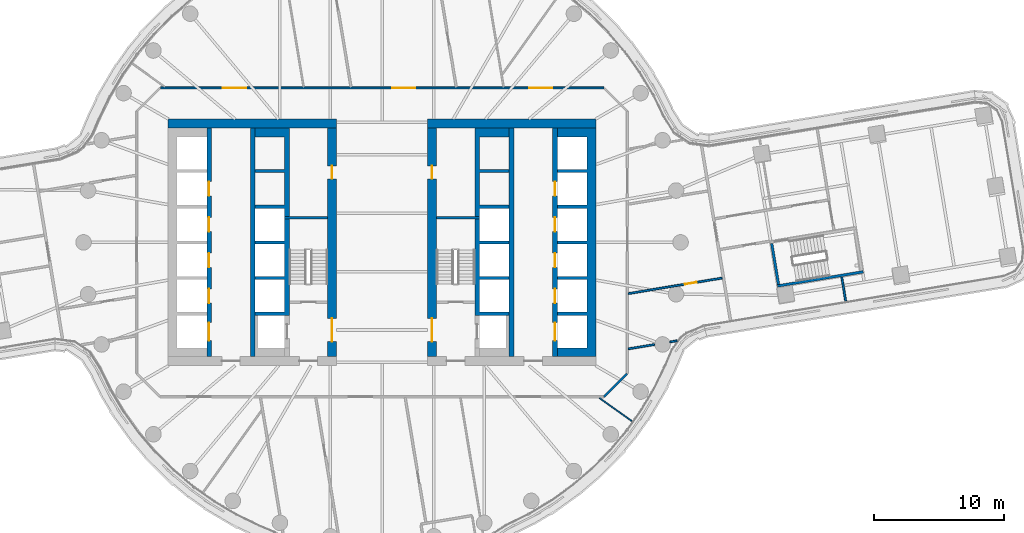
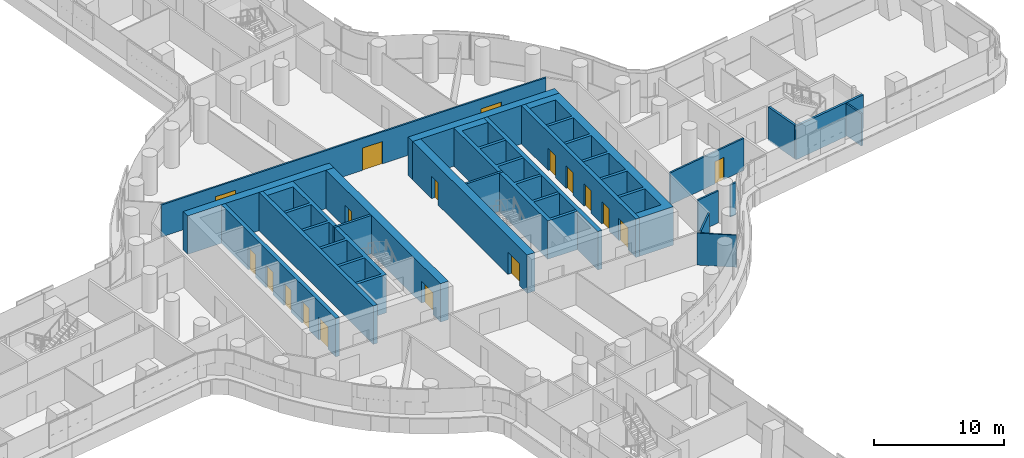
# One storey, part 22 of 32: 22 walls, 18 doors, 18 openings.
"""IFC4 building model written with IfcOpenShell, lengths in metres."""

from ifc_helpers import new_model, si_unit, direction, frame, frame_2d, origin, place, context, subcontext, project, spatial, polyline, rectangle, outline, extrude, material, layer, layer_set, type_object, element, fill, save


model = new_model("IFC4")

# Units and contexts
model_context = context("Model", 3, precision=1e-05, world=origin(), true_north=direction((0.0, 1.0)))
body_context = subcontext(model_context, "Body", "Model", "MODEL_VIEW")
ifc_project = project(units=[si_unit("LENGTHUNIT", "METRE"), si_unit("AREAUNIT", "SQUARE_METRE"), si_unit("VOLUMEUNIT", "CUBIC_METRE"), si_unit("PLANEANGLEUNIT", "RADIAN"), si_unit("MASSUNIT", "GRAM", prefix="KILO")], contexts=[model_context])

# Site, building, storey
site_placement = place(None, origin())
site = spatial("IfcSite", under=ifc_project, at=site_placement, CompositionType="ELEMENT")
building_placement = place(site_placement, origin())
building = spatial("IfcBuilding", under=site, at=building_placement, Name="Tamarind Cross Interchange Tower", CompositionType="ELEMENT")
storey_placement = place(building_placement, frame((0.0, 0.0, 67.75)))
storey = spatial("IfcBuildingStorey", under=building, at=storey_placement, Name="L15", CompositionType="ELEMENT", Elevation=67.75)

# Wall
ifc_material_1 = material(Name="Concrete C80", Category="concrete")
ifc_layer_1 = layer(ifc_material_1, 0.699951171875)
ifc_layer_set_1 = layer_set([ifc_layer_1], Name="Concrete C80")
wall_type_1 = type_object("IfcWallType", Name="Core wall 700 mm Concrete C80", PredefinedType="SHEAR", material=ifc_layer_set_1)
wall_1_placement = place(storey_placement, frame((-16.5, 9.14990234375, 0.0), z_axis=(0.0, 0.0, 1.0), x_axis=(1.0, 0.0, 0.0)))
element("IfcWall", 1, at=wall_1_placement, inside=storey, type_object=wall_type_1, Name="Core wall CWL-L15-W-NE", PredefinedType="SHEAR", context=body_context, shape_type="SweptSolid", body=[
    extrude(rectangle(XDim=13.0, YDim=0.699951171875, at=frame_2d((6.5, 0.0))), origin(), (0.0, 0.0, 1.0), 3.610107421875),
])

# Wall, openings, doors
wall_2_placement = place(storey_placement, frame((-3.85009765625, -8.800048828125, 0.0), z_axis=(0.0, 0.0, 1.0), x_axis=(0.0, 1.0, 0.0)))
wall_2 = element("IfcWall", 2, at=wall_2_placement, inside=storey, type_object=wall_type_1, Name="Core wall CWL-L15-W-IN", PredefinedType="SHEAR", context=body_context, shape_type="SweptSolid", body=[
    extrude(rectangle(XDim=17.60009765625, YDim=0.699951171875, at=frame_2d((8.800048828125, 0.0))), origin(), (0.0, 0.0, 1.0), 3.610107421875),
])
opening_1_placement = place(wall_2_placement, frame((1.14990234375, 0.0, 0.0)))
opening_1 = element("IfcOpeningElement", 3, at=opening_1_placement, cuts=wall_2, Name="Opening DCW4", PredefinedType="OPENING", context=body_context, shape_type="SweptSolid", body=[
    extrude(rectangle(XDim=1.800048828125, YDim=2.10009765625, at=frame_2d((0.89990234375, 1.050048828125))), frame((0.0, 0.35986328125, 0.0), z_axis=(0.0, -1.0, 0.0), x_axis=(1.0, 0.0, 0.0)), (0.0, 0.0, 1.0), 0.719970703125),
])
opening_2_placement = place(wall_2_placement, frame((13.699951171875, 0.0, 0.0)))
opening_2 = element("IfcOpeningElement", 4, at=opening_2_placement, cuts=wall_2, Name="Opening DCW5", PredefinedType="OPENING", context=body_context, shape_type="SweptSolid", body=[
    extrude(rectangle(XDim=1.0, YDim=2.10009765625, at=frame_2d((0.5, 1.050048828125))), frame((0.0, 0.35986328125, 0.0), z_axis=(0.0, -1.0, 0.0), x_axis=(1.0, 0.0, 0.0)), (0.0, 0.0, 1.0), 0.719970703125),
])
ifc_material_2 = material(Name="Steel, fire-resisting", Category="steel")
door_type_1 = type_object("IfcDoorType", Name="Core fire door 1000 x 2100 FD90", OperationType="SINGLE_SWING_LEFT", PredefinedType="DOOR", material=ifc_material_2)
door_1_placement = place(opening_2_placement, origin())
door_1 = element("IfcDoor", 5, at=door_1_placement, inside=storey, type_object=door_type_1, Name="L15 riser room door", OperationType="SINGLE_SWING_LEFT", OverallHeight=2.10009765625, OverallWidth=1.0, PredefinedType="DOOR", context=body_context, shape_type="SweptSolid", body=[
    extrude(rectangle(XDim=1.0, YDim=2.10009765625, at=frame_2d((0.5, 1.050048828125))), frame((0.0, 0.02490234375, 0.0), z_axis=(0.0, -1.0, 0.0), x_axis=(1.0, 0.0, 0.0)), (0.0, 0.0, 1.0), 0.050048828125),
])
fill(opening_2, door_1)
door_type_2 = type_object("IfcDoorType", Name="Core fire door 1800 x 2100 FD90", OperationType="SINGLE_SWING_LEFT", PredefinedType="DOOR", material=ifc_material_2)
door_2_placement = place(opening_1_placement, origin())
door_2 = element("IfcDoor", 6, at=door_2_placement, inside=storey, type_object=door_type_2, Name="L15 firefighting lobby door", OperationType="SINGLE_SWING_LEFT", OverallHeight=2.10009765625, OverallWidth=1.800048828125, PredefinedType="DOOR", context=body_context, shape_type="SweptSolid", body=[
    extrude(rectangle(XDim=1.800048828125, YDim=2.10009765625, at=frame_2d((0.89990234375, 1.050048828125))), frame((0.0, 0.02490234375, 0.0), z_axis=(0.0, -1.0, 0.0), x_axis=(1.0, 0.0, 0.0)), (0.0, 0.0, 1.0), 0.050048828125),
])
fill(opening_1, door_2)

# Walls
wall_3_placement = place(storey_placement, origin())
element("IfcWall", 7, at=wall_3_placement, inside=storey, type_object=wall_type_1, Name="Core wall CWL-L15-E-A", PredefinedType="SHEAR", context=body_context, shape_type="SweptSolid", body=[
    extrude(outline(polyline([(13.5, -8.800048828125), (15.800048828125, -8.800048828125), (16.5, -8.800048828125), (16.5, 8.800048828125), (15.800048828125, 8.800048828125), (13.5, 8.800048828125), (13.5, 8.125), (15.800048828125, 8.125), (15.800048828125, 5.625), (13.5, 5.625), (13.5, 5.375), (15.800048828125, 5.375), (15.800048828125, 2.875), (13.5, 2.875), (13.5, 2.625), (15.800048828125, 2.625), (15.800048828125, 0.125), (13.5, 0.125), (13.5, -0.125), (15.800048828125, -0.125), (15.800048828125, -2.625), (13.5, -2.625), (13.5, -2.875), (15.800048828125, -2.875), (15.800048828125, -5.375), (13.5, -5.375), (13.5, -5.625), (15.800048828125, -5.625), (15.800048828125, -8.125), (13.5, -8.125), (13.5, -8.800048828125)])), origin(), (0.0, 0.0, 1.0), 3.610107421875),
])
wall_4_placement = place(storey_placement, frame((16.5, 9.14990234375, 0.0), z_axis=(0.0, 0.0, 1.0), x_axis=(-1.0, 0.0, 0.0)))
element("IfcWall", 8, at=wall_4_placement, inside=storey, type_object=wall_type_1, Name="Core wall CWL-L15-E-NE", PredefinedType="SHEAR", context=body_context, shape_type="SweptSolid", body=[
    extrude(rectangle(XDim=13.0, YDim=0.699951171875, at=frame_2d((6.5, 0.0))), origin(), (0.0, 0.0, 1.0), 3.610107421875),
])

# Wall, openings, doors
wall_5_placement = place(storey_placement, frame((3.85009765625, -8.800048828125, 0.0), z_axis=(0.0, 0.0, 1.0), x_axis=(0.0, 1.0, 0.0)))
wall_5 = element("IfcWall", 9, at=wall_5_placement, inside=storey, type_object=wall_type_1, Name="Core wall CWL-L15-E-IN", PredefinedType="SHEAR", context=body_context, shape_type="SweptSolid", body=[
    extrude(rectangle(XDim=17.60009765625, YDim=0.699951171875, at=frame_2d((8.800048828125, 0.0))), origin(), (0.0, 0.0, 1.0), 3.610107421875),
])
opening_3_placement = place(wall_5_placement, frame((1.14990234375, 0.0, 0.0)))
opening_3 = element("IfcOpeningElement", 10, at=opening_3_placement, cuts=wall_5, Name="Opening DCE4", PredefinedType="OPENING", context=body_context, shape_type="SweptSolid", body=[
    extrude(rectangle(XDim=1.800048828125, YDim=2.10009765625, at=frame_2d((0.89990234375, 1.050048828125))), frame((0.0, 0.35986328125, 0.0), z_axis=(0.0, -1.0, 0.0), x_axis=(1.0, 0.0, 0.0)), (0.0, 0.0, 1.0), 0.719970703125),
])
opening_4_placement = place(wall_5_placement, frame((13.699951171875, 0.0, 0.0)))
opening_4 = element("IfcOpeningElement", 11, at=opening_4_placement, cuts=wall_5, Name="Opening DCE5", PredefinedType="OPENING", context=body_context, shape_type="SweptSolid", body=[
    extrude(rectangle(XDim=1.0, YDim=2.10009765625, at=frame_2d((0.5, 1.050048828125))), frame((0.0, 0.35986328125, 0.0), z_axis=(0.0, -1.0, 0.0), x_axis=(1.0, 0.0, 0.0)), (0.0, 0.0, 1.0), 0.719970703125),
])
door_3_placement = place(opening_4_placement, origin())
door_3 = element("IfcDoor", 12, at=door_3_placement, inside=storey, type_object=door_type_1, Name="L15 riser room door", OperationType="SINGLE_SWING_LEFT", OverallHeight=2.10009765625, OverallWidth=1.0, PredefinedType="DOOR", context=body_context, shape_type="SweptSolid", body=[
    extrude(rectangle(XDim=1.0, YDim=2.10009765625, at=frame_2d((0.5, 1.050048828125))), frame((0.0, 0.02490234375, 0.0), z_axis=(0.0, -1.0, 0.0), x_axis=(1.0, 0.0, 0.0)), (0.0, 0.0, 1.0), 0.050048828125),
])
fill(opening_4, door_3)
door_4_placement = place(opening_3_placement, origin())
door_4 = element("IfcDoor", 13, at=door_4_placement, inside=storey, type_object=door_type_2, Name="L15 firefighting lobby door", OperationType="SINGLE_SWING_LEFT", OverallHeight=2.10009765625, OverallWidth=1.800048828125, PredefinedType="DOOR", context=body_context, shape_type="SweptSolid", body=[
    extrude(rectangle(XDim=1.800048828125, YDim=2.10009765625, at=frame_2d((0.89990234375, 1.050048828125))), frame((0.0, 0.02490234375, 0.0), z_axis=(0.0, -1.0, 0.0), x_axis=(1.0, 0.0, 0.0)), (0.0, 0.0, 1.0), 0.050048828125),
])
fill(opening_3, door_4)

# Walls
ifc_layer_2 = layer(ifc_material_1, 0.199951171875)
ifc_layer_set_2 = layer_set([ifc_layer_2], Name="Concrete C80")
wall_type_2 = type_object("IfcWallType", Name="Core web wall 200 mm Concrete C80", PredefinedType="SHEAR", material=ifc_layer_set_2)
for number, where, z_axis, x_axis, name in (
    (14, (-7.5, 1.89990234375, 0.0), (0.0, 0.0, 1.0), (1.0, 0.0, 0.0), "Core wall CWL-L15-W-BD"),
    (15, (7.5, 1.89990234375, 0.0), (0.0, 0.0, 1.0), (-1.0, 0.0, 0.0), "Core wall CWL-L15-E-BD"),
):
    element("IfcWall", number, at=place(storey_placement, frame(where, z_axis=z_axis, x_axis=x_axis)), inside=storey, type_object=wall_type_2, Name=name, PredefinedType="SHEAR", context=body_context, shape_type="SweptSolid", body=[
        extrude(rectangle(XDim=3.300048828125, YDim=0.199951171875, at=frame_2d((1.64990234375, 0.0))), origin(), (0.0, 0.0, 1.0), 3.610107421875),
    ])
ifc_layer_3 = layer(ifc_material_1, 0.35009765625)
ifc_layer_set_3 = layer_set([ifc_layer_3], Name="Concrete C80")
wall_type_3 = type_object("IfcWallType", Name="Core web wall 350 mm Concrete C80", PredefinedType="SHEAR", material=ifc_layer_set_3)
wall_6_placement = place(storey_placement, origin())
element("IfcWall", 16, at=wall_6_placement, inside=storey, type_object=wall_type_3, Name="Core wall CWL-L15-W-BN", PredefinedType="SHEAR", context=body_context, shape_type="SweptSolid", body=[
    extrude(outline(polyline([(-9.800048828125, -5.375), (-9.800048828125, -5.625), (-7.5, -5.625), (-7.14990234375, -5.625), (-7.14990234375, 8.800048828125), (-7.5, 8.800048828125), (-9.800048828125, 8.800048828125), (-9.800048828125, 8.125), (-7.5, 8.125), (-7.5, 5.625), (-9.800048828125, 5.625), (-9.800048828125, 5.375), (-7.5, 5.375), (-7.5, 2.875), (-9.800048828125, 2.875), (-9.800048828125, 2.625), (-7.5, 2.625), (-7.5, 0.125), (-9.800048828125, 0.125), (-9.800048828125, -0.125), (-7.5, -0.125), (-7.5, -2.625), (-9.800048828125, -2.625), (-9.800048828125, -2.875), (-7.5, -2.875), (-7.5, -5.375), (-9.800048828125, -5.375)])), origin(), (0.0, 0.0, 1.0), 3.610107421875),
])

# Wall, openings, doors
wall_7_placement = place(storey_placement, frame((-13.324951171875, -8.800048828125, 0.0), z_axis=(0.0, 0.0, 1.0), x_axis=(0.0, 1.0, 0.0)))
wall_7 = element("IfcWall", 17, at=wall_7_placement, inside=storey, type_object=wall_type_3, Name="Core wall CWL-L15-W-LA", PredefinedType="SHEAR", context=body_context, shape_type="SweptSolid", body=[
    extrude(rectangle(XDim=17.60009765625, YDim=0.35009765625, at=frame_2d((8.800048828125, 0.0))), origin(), (0.0, 0.0, 1.0), 3.610107421875),
])
opening_5_placement = place(wall_7_placement, frame((1.22509765625, 0.0, 0.0)))
opening_5 = element("IfcOpeningElement", 18, at=opening_5_placement, cuts=wall_7, Name="Opening LD1L15", PredefinedType="OPENING", context=body_context, shape_type="SweptSolid", body=[
    extrude(rectangle(XDim=1.39990234375, YDim=2.10009765625, at=frame_2d((0.699951171875, 1.050048828125))), frame((0.0, 0.18505859375, 0.0), z_axis=(0.0, -1.0, 0.0), x_axis=(1.0, 0.0, 0.0)), (0.0, 0.0, 1.0), 0.3701171875),
])
opening_6_placement = place(wall_7_placement, frame((4.125, 0.0, 0.0)))
opening_6 = element("IfcOpeningElement", 19, at=opening_6_placement, cuts=wall_7, Name="Opening LD2L15", PredefinedType="OPENING", context=body_context, shape_type="SweptSolid", body=[
    extrude(rectangle(XDim=1.10009765625, YDim=2.10009765625, at=frame_2d((0.550048828125, 1.050048828125))), frame((0.0, 0.18505859375, 0.0), z_axis=(0.0, -1.0, 0.0), x_axis=(1.0, 0.0, 0.0)), (0.0, 0.0, 1.0), 0.3701171875),
])
opening_7_placement = place(wall_7_placement, frame((6.875, 0.0, 0.0)))
opening_7 = element("IfcOpeningElement", 20, at=opening_7_placement, cuts=wall_7, Name="Opening LD3L15", PredefinedType="OPENING", context=body_context, shape_type="SweptSolid", body=[
    extrude(rectangle(XDim=1.10009765625, YDim=2.10009765625, at=frame_2d((0.550048828125, 1.050048828125))), frame((0.0, 0.18505859375, 0.0), z_axis=(0.0, -1.0, 0.0), x_axis=(1.0, 0.0, 0.0)), (0.0, 0.0, 1.0), 0.3701171875),
])
opening_8_placement = place(wall_7_placement, frame((9.625, 0.0, 0.0)))
opening_8 = element("IfcOpeningElement", 21, at=opening_8_placement, cuts=wall_7, Name="Opening LD4L15", PredefinedType="OPENING", context=body_context, shape_type="SweptSolid", body=[
    extrude(rectangle(XDim=1.10009765625, YDim=2.10009765625, at=frame_2d((0.550048828125, 1.050048828125))), frame((0.0, 0.18505859375, 0.0), z_axis=(0.0, -1.0, 0.0), x_axis=(1.0, 0.0, 0.0)), (0.0, 0.0, 1.0), 0.3701171875),
])
opening_9_placement = place(wall_7_placement, frame((12.375, 0.0, 0.0)))
opening_9 = element("IfcOpeningElement", 22, at=opening_9_placement, cuts=wall_7, Name="Opening LD5L15", PredefinedType="OPENING", context=body_context, shape_type="SweptSolid", body=[
    extrude(rectangle(XDim=1.10009765625, YDim=2.10009765625, at=frame_2d((0.550048828125, 1.050048828125))), frame((0.0, 0.18505859375, 0.0), z_axis=(0.0, -1.0, 0.0), x_axis=(1.0, 0.0, 0.0)), (0.0, 0.0, 1.0), 0.3701171875),
])
ifc_material_3 = material(Name="Stainless steel panel", Category="steel")
door_type_3 = type_object("IfcDoorType", Name="Lift landing door 1100 x 2100 E 120", OperationType="SLIDING_TO_LEFT", PredefinedType="DOOR", material=ifc_material_3)
door_5_placement = place(opening_6_placement, origin())
door_5 = element("IfcDoor", 23, at=door_5_placement, inside=storey, type_object=door_type_3, Name="L15 landing door LF2", OperationType="SLIDING_TO_LEFT", OverallHeight=2.10009765625, OverallWidth=1.10009765625, PredefinedType="DOOR", context=body_context, shape_type="SweptSolid", body=[
    extrude(rectangle(XDim=1.10009765625, YDim=2.10009765625, at=frame_2d((0.550048828125, 1.050048828125))), frame((0.0, 0.02490234375, 0.0), z_axis=(0.0, -1.0, 0.0), x_axis=(1.0, 0.0, 0.0)), (0.0, 0.0, 1.0), 0.050048828125),
])
fill(opening_6, door_5)
door_6_placement = place(opening_7_placement, origin())
door_6 = element("IfcDoor", 24, at=door_6_placement, inside=storey, type_object=door_type_3, Name="L15 landing door LF3", OperationType="SLIDING_TO_LEFT", OverallHeight=2.10009765625, OverallWidth=1.10009765625, PredefinedType="DOOR", context=body_context, shape_type="SweptSolid", body=[
    extrude(rectangle(XDim=1.10009765625, YDim=2.10009765625, at=frame_2d((0.550048828125, 1.050048828125))), frame((0.0, 0.02490234375, 0.0), z_axis=(0.0, -1.0, 0.0), x_axis=(1.0, 0.0, 0.0)), (0.0, 0.0, 1.0), 0.050048828125),
])
fill(opening_7, door_6)
door_7_placement = place(opening_8_placement, origin())
door_7 = element("IfcDoor", 25, at=door_7_placement, inside=storey, type_object=door_type_3, Name="L15 landing door LF4", OperationType="SLIDING_TO_LEFT", OverallHeight=2.10009765625, OverallWidth=1.10009765625, PredefinedType="DOOR", context=body_context, shape_type="SweptSolid", body=[
    extrude(rectangle(XDim=1.10009765625, YDim=2.10009765625, at=frame_2d((0.550048828125, 1.050048828125))), frame((0.0, 0.02490234375, 0.0), z_axis=(0.0, -1.0, 0.0), x_axis=(1.0, 0.0, 0.0)), (0.0, 0.0, 1.0), 0.050048828125),
])
fill(opening_8, door_7)
door_8_placement = place(opening_9_placement, origin())
door_8 = element("IfcDoor", 26, at=door_8_placement, inside=storey, type_object=door_type_3, Name="L15 landing door LF5", OperationType="SLIDING_TO_LEFT", OverallHeight=2.10009765625, OverallWidth=1.10009765625, PredefinedType="DOOR", context=body_context, shape_type="SweptSolid", body=[
    extrude(rectangle(XDim=1.10009765625, YDim=2.10009765625, at=frame_2d((0.550048828125, 1.050048828125))), frame((0.0, 0.02490234375, 0.0), z_axis=(0.0, -1.0, 0.0), x_axis=(1.0, 0.0, 0.0)), (0.0, 0.0, 1.0), 0.050048828125),
])
fill(opening_9, door_8)
door_type_4 = type_object("IfcDoorType", Name="Lift landing door 1400 x 2100 E 120", OperationType="SLIDING_TO_LEFT", PredefinedType="DOOR", material=ifc_material_3)
door_9_placement = place(opening_5_placement, origin())
door_9 = element("IfcDoor", 27, at=door_9_placement, inside=storey, type_object=door_type_4, Name="L15 landing door LF1", OperationType="SLIDING_TO_LEFT", OverallHeight=2.10009765625, OverallWidth=1.39990234375, PredefinedType="DOOR", context=body_context, shape_type="SweptSolid", body=[
    extrude(rectangle(XDim=1.39990234375, YDim=2.10009765625, at=frame_2d((0.699951171875, 1.050048828125))), frame((0.0, 0.02490234375, 0.0), z_axis=(0.0, -1.0, 0.0), x_axis=(1.0, 0.0, 0.0)), (0.0, 0.0, 1.0), 0.050048828125),
])
fill(opening_5, door_9)

# Walls
wall_8_placement = place(storey_placement, frame((-9.97509765625, -8.800048828125, 0.0), z_axis=(0.0, 0.0, 1.0), x_axis=(0.0, 1.0, 0.0)))
element("IfcWall", 28, at=wall_8_placement, inside=storey, type_object=wall_type_3, Name="Core wall CWL-L15-W-LB", PredefinedType="SHEAR", context=body_context, shape_type="SweptSolid", body=[
    extrude(rectangle(XDim=17.60009765625, YDim=0.35009765625, at=frame_2d((8.800048828125, 0.0))), origin(), (0.0, 0.0, 1.0), 3.610107421875),
])
wall_9_placement = place(storey_placement, origin())
element("IfcWall", 29, at=wall_9_placement, inside=storey, type_object=wall_type_3, Name="Core wall CWL-L15-E-BN", PredefinedType="SHEAR", context=body_context, shape_type="SweptSolid", body=[
    extrude(outline(polyline([(9.800048828125, -5.375), (7.5, -5.375), (7.5, -2.875), (9.800048828125, -2.875), (9.800048828125, -2.625), (7.5, -2.625), (7.5, -0.125), (9.800048828125, -0.125), (9.800048828125, 0.125), (7.5, 0.125), (7.5, 2.625), (9.800048828125, 2.625), (9.800048828125, 2.875), (7.5, 2.875), (7.5, 5.375), (9.800048828125, 5.375), (9.800048828125, 5.625), (7.5, 5.625), (7.5, 8.125), (9.800048828125, 8.125), (9.800048828125, 8.800048828125), (7.5, 8.800048828125), (7.14990234375, 8.800048828125), (7.14990234375, -5.625), (7.5, -5.625), (9.800048828125, -5.625), (9.800048828125, -5.375)])), origin(), (0.0, 0.0, 1.0), 3.610107421875),
])

# Wall, openings, doors
wall_10_placement = place(storey_placement, frame((13.324951171875, -8.800048828125, 0.0), z_axis=(0.0, 0.0, 1.0), x_axis=(0.0, 1.0, 0.0)))
wall_10 = element("IfcWall", 30, at=wall_10_placement, inside=storey, type_object=wall_type_3, Name="Core wall CWL-L15-E-LA", PredefinedType="SHEAR", context=body_context, shape_type="SweptSolid", body=[
    extrude(rectangle(XDim=17.60009765625, YDim=0.35009765625, at=frame_2d((8.800048828125, 0.0))), origin(), (0.0, 0.0, 1.0), 3.610107421875),
])
opening_10_placement = place(wall_10_placement, frame((1.22509765625, 0.0, 0.0)))
opening_10 = element("IfcOpeningElement", 31, at=opening_10_placement, cuts=wall_10, Name="Opening LD13L15", PredefinedType="OPENING", context=body_context, shape_type="SweptSolid", body=[
    extrude(rectangle(XDim=1.39990234375, YDim=2.10009765625, at=frame_2d((0.699951171875, 1.050048828125))), frame((0.0, 0.18505859375, 0.0), z_axis=(0.0, -1.0, 0.0), x_axis=(1.0, 0.0, 0.0)), (0.0, 0.0, 1.0), 0.3701171875),
])
opening_11_placement = place(wall_10_placement, frame((4.125, 0.0, 0.0)))
opening_11 = element("IfcOpeningElement", 32, at=opening_11_placement, cuts=wall_10, Name="Opening LD14L15", PredefinedType="OPENING", context=body_context, shape_type="SweptSolid", body=[
    extrude(rectangle(XDim=1.10009765625, YDim=2.10009765625, at=frame_2d((0.550048828125, 1.050048828125))), frame((0.0, 0.18505859375, 0.0), z_axis=(0.0, -1.0, 0.0), x_axis=(1.0, 0.0, 0.0)), (0.0, 0.0, 1.0), 0.3701171875),
])
opening_12_placement = place(wall_10_placement, frame((6.875, 0.0, 0.0)))
opening_12 = element("IfcOpeningElement", 33, at=opening_12_placement, cuts=wall_10, Name="Opening LD15L15", PredefinedType="OPENING", context=body_context, shape_type="SweptSolid", body=[
    extrude(rectangle(XDim=1.10009765625, YDim=2.10009765625, at=frame_2d((0.550048828125, 1.050048828125))), frame((0.0, 0.18505859375, 0.0), z_axis=(0.0, -1.0, 0.0), x_axis=(1.0, 0.0, 0.0)), (0.0, 0.0, 1.0), 0.3701171875),
])
opening_13_placement = place(wall_10_placement, frame((9.625, 0.0, 0.0)))
opening_13 = element("IfcOpeningElement", 34, at=opening_13_placement, cuts=wall_10, Name="Opening LD16L15", PredefinedType="OPENING", context=body_context, shape_type="SweptSolid", body=[
    extrude(rectangle(XDim=1.10009765625, YDim=2.10009765625, at=frame_2d((0.550048828125, 1.050048828125))), frame((0.0, 0.18505859375, 0.0), z_axis=(0.0, -1.0, 0.0), x_axis=(1.0, 0.0, 0.0)), (0.0, 0.0, 1.0), 0.3701171875),
])
opening_14_placement = place(wall_10_placement, frame((12.375, 0.0, 0.0)))
opening_14 = element("IfcOpeningElement", 35, at=opening_14_placement, cuts=wall_10, Name="Opening LD17L15", PredefinedType="OPENING", context=body_context, shape_type="SweptSolid", body=[
    extrude(rectangle(XDim=1.10009765625, YDim=2.10009765625, at=frame_2d((0.550048828125, 1.050048828125))), frame((0.0, 0.18505859375, 0.0), z_axis=(0.0, -1.0, 0.0), x_axis=(1.0, 0.0, 0.0)), (0.0, 0.0, 1.0), 0.3701171875),
])
door_10_placement = place(opening_11_placement, origin())
door_10 = element("IfcDoor", 36, at=door_10_placement, inside=storey, type_object=door_type_3, Name="L15 landing door LF14", OperationType="SLIDING_TO_LEFT", OverallHeight=2.10009765625, OverallWidth=1.10009765625, PredefinedType="DOOR", context=body_context, shape_type="SweptSolid", body=[
    extrude(rectangle(XDim=1.10009765625, YDim=2.10009765625, at=frame_2d((0.550048828125, 1.050048828125))), frame((0.0, 0.02490234375, 0.0), z_axis=(0.0, -1.0, 0.0), x_axis=(1.0, 0.0, 0.0)), (0.0, 0.0, 1.0), 0.050048828125),
])
fill(opening_11, door_10)
door_11_placement = place(opening_12_placement, origin())
door_11 = element("IfcDoor", 37, at=door_11_placement, inside=storey, type_object=door_type_3, Name="L15 landing door LF15", OperationType="SLIDING_TO_LEFT", OverallHeight=2.10009765625, OverallWidth=1.10009765625, PredefinedType="DOOR", context=body_context, shape_type="SweptSolid", body=[
    extrude(rectangle(XDim=1.10009765625, YDim=2.10009765625, at=frame_2d((0.550048828125, 1.050048828125))), frame((0.0, 0.02490234375, 0.0), z_axis=(0.0, -1.0, 0.0), x_axis=(1.0, 0.0, 0.0)), (0.0, 0.0, 1.0), 0.050048828125),
])
fill(opening_12, door_11)
door_12_placement = place(opening_13_placement, origin())
door_12 = element("IfcDoor", 38, at=door_12_placement, inside=storey, type_object=door_type_3, Name="L15 landing door LF16", OperationType="SLIDING_TO_LEFT", OverallHeight=2.10009765625, OverallWidth=1.10009765625, PredefinedType="DOOR", context=body_context, shape_type="SweptSolid", body=[
    extrude(rectangle(XDim=1.10009765625, YDim=2.10009765625, at=frame_2d((0.550048828125, 1.050048828125))), frame((0.0, 0.02490234375, 0.0), z_axis=(0.0, -1.0, 0.0), x_axis=(1.0, 0.0, 0.0)), (0.0, 0.0, 1.0), 0.050048828125),
])
fill(opening_13, door_12)
door_13_placement = place(opening_14_placement, origin())
door_13 = element("IfcDoor", 39, at=door_13_placement, inside=storey, type_object=door_type_3, Name="L15 landing door LF17", OperationType="SLIDING_TO_LEFT", OverallHeight=2.10009765625, OverallWidth=1.10009765625, PredefinedType="DOOR", context=body_context, shape_type="SweptSolid", body=[
    extrude(rectangle(XDim=1.10009765625, YDim=2.10009765625, at=frame_2d((0.550048828125, 1.050048828125))), frame((0.0, 0.02490234375, 0.0), z_axis=(0.0, -1.0, 0.0), x_axis=(1.0, 0.0, 0.0)), (0.0, 0.0, 1.0), 0.050048828125),
])
fill(opening_14, door_13)
door_14_placement = place(opening_10_placement, origin())
door_14 = element("IfcDoor", 40, at=door_14_placement, inside=storey, type_object=door_type_4, Name="L15 landing door LF13", OperationType="SLIDING_TO_LEFT", OverallHeight=2.10009765625, OverallWidth=1.39990234375, PredefinedType="DOOR", context=body_context, shape_type="SweptSolid", body=[
    extrude(rectangle(XDim=1.39990234375, YDim=2.10009765625, at=frame_2d((0.699951171875, 1.050048828125))), frame((0.0, 0.02490234375, 0.0), z_axis=(0.0, -1.0, 0.0), x_axis=(1.0, 0.0, 0.0)), (0.0, 0.0, 1.0), 0.050048828125),
])
fill(opening_10, door_14)

# Walls
wall_11_placement = place(storey_placement, frame((9.97509765625, -8.800048828125, 0.0), z_axis=(0.0, 0.0, 1.0), x_axis=(0.0, 1.0, 0.0)))
element("IfcWall", 41, at=wall_11_placement, inside=storey, type_object=wall_type_3, Name="Core wall CWL-L15-E-LB", PredefinedType="SHEAR", context=body_context, shape_type="SweptSolid", body=[
    extrude(rectangle(XDim=17.60009765625, YDim=0.35009765625, at=frame_2d((8.800048828125, 0.0))), origin(), (0.0, 0.0, 1.0), 3.610107421875),
])
ifc_material_4 = material(Name="Gypsum board partition on steel studs", Category="steel")
ifc_layer_4 = layer(ifc_material_4, 0.10009765625)
ifc_layer_set_4 = layer_set([ifc_layer_4], Name="Gypsum board partition on steel studs")
wall_type_4 = type_object("IfcWallType", Name="Partition 100 mm EI 120", PredefinedType="PARTITIONING", material=ifc_layer_set_4)
wall_12_placement = place(storey_placement, frame((16.763427734375, -11.997314453125, 0.0), z_axis=(0.0, 0.0, 1.0), x_axis=(0.813183335606, -0.582007613947, 0.0)))
element("IfcWall", 42, at=wall_12_placement, inside=storey, type_object=wall_type_4, Name="Partition L15-034", PredefinedType="PARTITIONING", context=body_context, shape_type="SweptSolid", body=[
    extrude(rectangle(XDim=3.060546875, YDim=0.10009765625, at=frame_2d((1.5302734375, 0.0))), origin(), (0.0, 0.0, 1.0), 3.010009765625),
])
ifc_layer_5 = layer(ifc_material_4, 0.14990234375)
ifc_layer_set_5 = layer_set([ifc_layer_5], Name="Gypsum board partition on steel studs")
wall_type_5 = type_object("IfcWallType", Name="Partition 150 mm EI 120", PredefinedType="PARTITIONING", material=ifc_layer_set_5)
wall_13_placement = place(storey_placement, frame((35.418701171875, -2.68359375, 0.0), z_axis=(0.0, 0.0, 1.0), x_axis=(0.163376641422, -0.986563770386, 0.0)))
element("IfcWall", 43, at=wall_13_placement, inside=storey, type_object=wall_type_5, Name="Partition L15-030", PredefinedType="PARTITIONING", context=body_context, shape_type="SweptSolid", body=[
    extrude(rectangle(XDim=1.85888671875, YDim=0.14990234375, at=frame_2d((0.929443359375, 0.0))), origin(), (0.0, 0.0, 1.0), 3.010009765625),
])

# Wall, openings, doors
wall_14_placement = place(storey_placement, frame((-17.06494140625, 11.89990234375, 0.0), z_axis=(0.0, 0.0, 1.0), x_axis=(1.0, 0.0, 0.0)))
wall_14 = element("IfcWall", 44, at=wall_14_placement, inside=storey, type_object=wall_type_5, Name="Partition L15-036", PredefinedType="PARTITIONING", context=body_context, shape_type="SweptSolid", body=[
    extrude(rectangle(XDim=34.1650390625, YDim=0.14990234375, at=frame_2d((17.08251953125, 0.0))), origin(), (0.0, 0.0, 1.0), 3.010009765625),
])
opening_15_placement = place(wall_14_placement, frame((17.8330078125, 0.0, 0.0)))
opening_15 = element("IfcOpeningElement", 45, at=opening_15_placement, cuts=wall_14, Name="Opening D20", PredefinedType="OPENING", context=body_context, shape_type="SweptSolid", body=[
    extrude(rectangle(XDim=1.800048828125, YDim=2.10009765625, at=frame_2d((0.89990234375, 1.050048828125))), frame((0.0, 0.0849609375, 0.0), z_axis=(0.0, -1.0, 0.0), x_axis=(1.0, 0.0, 0.0)), (0.0, 0.0, 1.0), 0.169921875),
])
opening_16_placement = place(wall_14_placement, frame((28.39111328125, 0.0, 0.0)))
opening_16 = element("IfcOpeningElement", 46, at=opening_16_placement, cuts=wall_14, Name="Opening D21", PredefinedType="OPENING", context=body_context, shape_type="SweptSolid", body=[
    extrude(rectangle(XDim=1.800048828125, YDim=2.10009765625, at=frame_2d((0.89990234375, 1.050048828125))), frame((0.0, 0.0849609375, 0.0), z_axis=(0.0, -1.0, 0.0), x_axis=(1.0, 0.0, 0.0)), (0.0, 0.0, 1.0), 0.169921875),
])
opening_17_placement = place(wall_14_placement, frame((4.791015625, 0.0, 0.0)))
opening_17 = element("IfcOpeningElement", 47, at=opening_17_placement, cuts=wall_14, Name="Opening D22", PredefinedType="OPENING", context=body_context, shape_type="SweptSolid", body=[
    extrude(rectangle(XDim=1.800048828125, YDim=2.10009765625, at=frame_2d((0.89990234375, 1.050048828125))), frame((0.0, 0.0849609375, 0.0), z_axis=(0.0, -1.0, 0.0), x_axis=(1.0, 0.0, 0.0)), (0.0, 0.0, 1.0), 0.169921875),
])
ifc_material_5 = material(Name="Fire-resisting door set")
door_type_5 = type_object("IfcDoorType", Name="Interior door 1800 x 2100 FD60S", OperationType="DOUBLE_DOOR_SINGLE_SWING", PredefinedType="DOOR", material=ifc_material_5)
door_15_placement = place(opening_15_placement, frame((1.800048828125, 0.0, 0.0), z_axis=(0.0, 0.0, 1.0), x_axis=(-1.0, 0.0, 0.0)))
door_15 = element("IfcDoor", 48, at=door_15_placement, inside=storey, type_object=door_type_5, Name="Door D20", OperationType="DOUBLE_DOOR_SINGLE_SWING", OverallHeight=2.10009765625, OverallWidth=1.800048828125, PredefinedType="DOOR", context=body_context, shape_type="SweptSolid", body=[
    extrude(rectangle(XDim=1.800048828125, YDim=2.10009765625, at=frame_2d((0.89990234375, 1.050048828125))), frame((0.0, 0.02490234375, 0.0), z_axis=(0.0, -1.0, 0.0), x_axis=(1.0, 0.0, 0.0)), (0.0, 0.0, 1.0), 0.050048828125),
])
fill(opening_15, door_15)
door_16_placement = place(opening_16_placement, origin())
door_16 = element("IfcDoor", 49, at=door_16_placement, inside=storey, type_object=door_type_5, Name="Door D21", OperationType="DOUBLE_DOOR_SINGLE_SWING", OverallHeight=2.10009765625, OverallWidth=1.800048828125, PredefinedType="DOOR", context=body_context, shape_type="SweptSolid", body=[
    extrude(rectangle(XDim=1.800048828125, YDim=2.10009765625, at=frame_2d((0.89990234375, 1.050048828125))), frame((0.0, 0.02490234375, 0.0), z_axis=(0.0, -1.0, 0.0), x_axis=(1.0, 0.0, 0.0)), (0.0, 0.0, 1.0), 0.050048828125),
])
fill(opening_16, door_16)
door_17_placement = place(opening_17_placement, origin())
door_17 = element("IfcDoor", 50, at=door_17_placement, inside=storey, type_object=door_type_5, Name="Door D22", OperationType="DOUBLE_DOOR_SINGLE_SWING", OverallHeight=2.10009765625, OverallWidth=1.800048828125, PredefinedType="DOOR", context=body_context, shape_type="SweptSolid", body=[
    extrude(rectangle(XDim=1.800048828125, YDim=2.10009765625, at=frame_2d((0.89990234375, 1.050048828125))), frame((0.0, 0.02490234375, 0.0), z_axis=(0.0, -1.0, 0.0), x_axis=(1.0, 0.0, 0.0)), (0.0, 0.0, 1.0), 0.050048828125),
])
fill(opening_17, door_17)

# Wall, opening, door
wall_15_placement = place(storey_placement, frame((18.968994140625, -3.948486328125, 0.0), z_axis=(0.0, 0.0, 1.0), x_axis=(0.986548318121, 0.16346992388, 0.0)))
wall_15 = element("IfcWall", 51, at=wall_15_placement, inside=storey, type_object=wall_type_5, Name="Partition L15-062", PredefinedType="PARTITIONING", context=body_context, shape_type="SweptSolid", body=[
    extrude(rectangle(XDim=7.330078125, YDim=0.14990234375, at=frame_2d((3.6650390625, 0.0))), origin(), (0.0, 0.0, 1.0), 3.010009765625),
])
opening_18_placement = place(wall_15_placement, frame((4.429931640625, 0.0, 0.0)))
opening_18 = element("IfcOpeningElement", 52, at=opening_18_placement, cuts=wall_15, Name="Opening D35", PredefinedType="OPENING", context=body_context, shape_type="SweptSolid", body=[
    extrude(rectangle(XDim=0.89990234375, YDim=2.10009765625, at=frame_2d((0.449951171875, 1.050048828125))), frame((0.0, 0.0849609375, 0.0), z_axis=(0.0, -1.0, 0.0), x_axis=(1.0, 0.0, 0.0)), (0.0, 0.0, 1.0), 0.169921875),
])
door_type_6 = type_object("IfcDoorType", Name="Interior door 900 x 2100 FD60S", OperationType="SINGLE_SWING_LEFT", PredefinedType="DOOR", material=ifc_material_5)
door_18_placement = place(opening_18_placement, frame((0.89990234375, 0.0, 0.0), z_axis=(0.0, 0.0, 1.0), x_axis=(-1.0, 0.0, 0.0)))
door_18 = element("IfcDoor", 53, at=door_18_placement, inside=storey, type_object=door_type_6, Name="Door D35", OperationType="SINGLE_SWING_RIGHT", OverallHeight=2.10009765625, OverallWidth=0.89990234375, PredefinedType="DOOR", context=body_context, shape_type="SweptSolid", body=[
    extrude(rectangle(XDim=0.89990234375, YDim=2.10009765625, at=frame_2d((0.449951171875, 1.050048828125))), frame((0.0, 0.02490234375, 0.0), z_axis=(0.0, -1.0, 0.0), x_axis=(1.0, 0.0, 0.0)), (0.0, 0.0, 1.0), 0.050048828125),
])
fill(opening_18, door_18)

# Walls
wall_16_placement = place(storey_placement, frame((18.968994140625, -8.20556640625, 0.0), z_axis=(0.0, 0.0, 1.0), x_axis=(0.986543898424, 0.163496594711, 0.0)))
element("IfcWall", 54, at=wall_16_placement, inside=storey, type_object=wall_type_5, Name="Partition L15-067", PredefinedType="PARTITIONING", context=body_context, shape_type="SweptSolid", body=[
    extrude(rectangle(XDim=2.062255859375, YDim=0.14990234375, at=frame_2d((1.03125, 0.0))), origin(), (0.0, 0.0, 1.0), 3.010009765625),
])
wall_17_placement = place(storey_placement, frame((22.171630859375, -7.6748046875, 0.0), z_axis=(0.0, 0.0, 1.0), x_axis=(0.986534635248, 0.163552479212, 0.0)))
element("IfcWall", 55, at=wall_17_placement, inside=storey, type_object=wall_type_5, Name="Partition L15-068", PredefinedType="PARTITIONING", context=body_context, shape_type="SweptSolid", body=[
    extrude(rectangle(XDim=0.561279296875, YDim=0.14990234375, at=frame_2d((0.28076171875, 0.0))), origin(), (0.0, 0.0, 1.0), 3.010009765625),
])
wall_18_placement = place(storey_placement, frame((17.10009765625, -11.89990234375, 0.0), z_axis=(0.0, 0.0, 1.0), x_axis=(0.707106781187, 0.707106781187, 0.0)))
element("IfcWall", 56, at=wall_18_placement, inside=storey, type_object=wall_type_5, Name="Partition L15-072", PredefinedType="PARTITIONING", context=body_context, shape_type="SweptSolid", body=[
    extrude(rectangle(XDim=2.50537109375, YDim=0.14990234375, at=frame_2d((1.252685546875, 0.0))), origin(), (0.0, 0.0, 1.0), 3.010009765625),
])
ifc_material_6 = material(Name="Concrete C40", Category="concrete")
ifc_layer_6 = layer(ifc_material_6, 0.199951171875)
ifc_layer_set_6 = layer_set([ifc_layer_6], Name="Concrete C40")
wall_type_6 = type_object("IfcWallType", Name="Stair shaft wall 200 mm Concrete C40", PredefinedType="SHEAR", material=ifc_layer_set_6)
wall_19_placement = place(storey_placement, frame((30.463134765625, -3.362548828125, -0.139892578125), z_axis=(0.0, 0.0, 1.0), x_axis=(0.986560836674, 0.1633943559, 0.0)))
element("IfcWall", 57, at=wall_19_placement, inside=storey, type_object=wall_type_6, Name="Core wall CWL-L15-ST3-C", PredefinedType="SHEAR", context=body_context, shape_type="SweptSolid", body=[
    extrude(rectangle(XDim=6.699951171875, YDim=0.199951171875, at=frame_2d((3.35009765625, 0.0))), origin(), (0.0, 0.0, 1.0), 3.14990234375),
])
wall_20_placement = place(storey_placement, frame((30.54541015625, -3.24755859375, -0.139892578125), z_axis=(0.0, 0.0, 1.0), x_axis=(-0.163347262232, 0.98656863518, 0.0)))
element("IfcWall", 58, at=wall_20_placement, inside=storey, type_object=wall_type_6, Name="Core wall CWL-L15-ST3-CE", PredefinedType="SHEAR", context=body_context, shape_type="SweptSolid", body=[
    extrude(rectangle(XDim=3.199951171875, YDim=0.199951171875, at=frame_2d((1.60009765625, 0.0))), origin(), (0.0, 0.0, 1.0), 3.14990234375),
])

save(model, "model.ifc")
